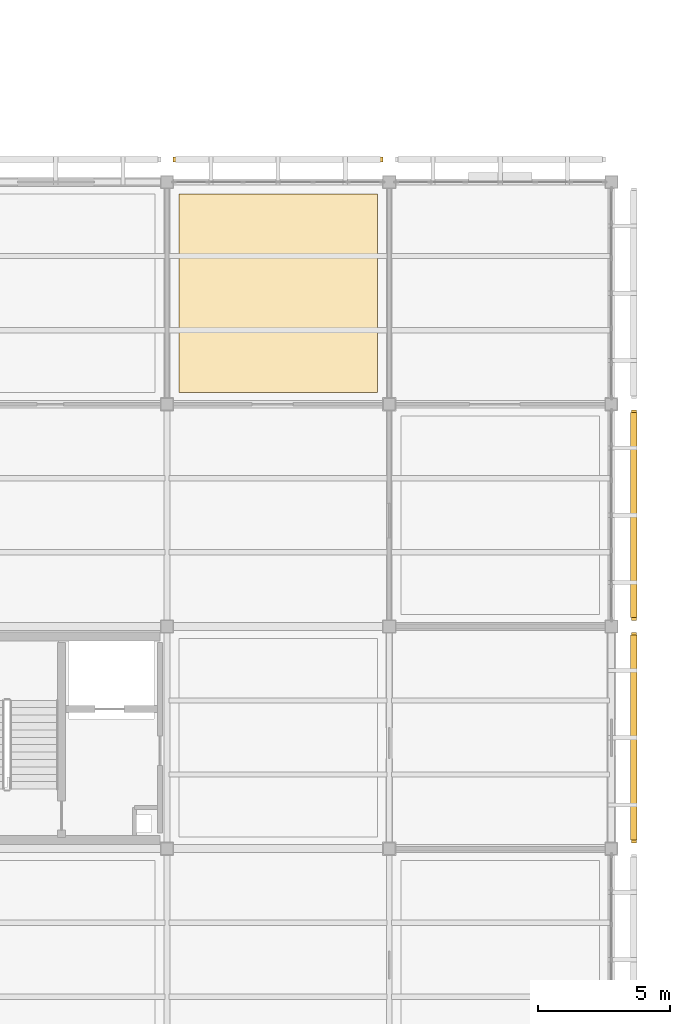
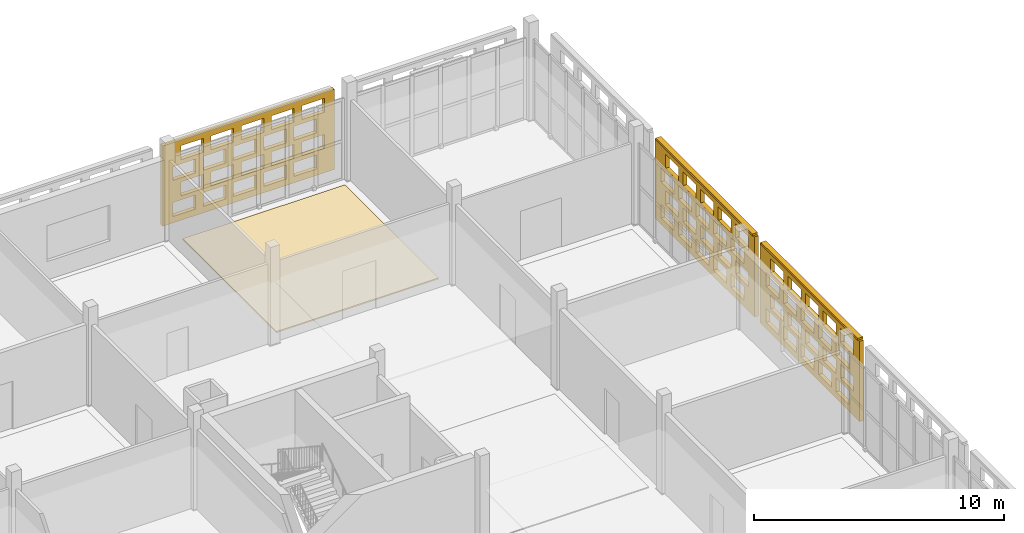
# One storey, part 202 of 203: 4 coverings, 2 shading devices, 60 openings.
"""IFC4 building model written with IfcOpenShell, lengths in metres."""

from ifc_helpers import new_model, si_unit, direction, frame, frame_2d, origin, origin_2d, place, context, subcontext, project, spatial, rectangle, extrude, material, layer, layer_set, type_object, element, save


model = new_model("IFC4")

# Units and contexts
model_context = context("Model", 3, precision=1e-05, world=origin(), true_north=direction((0.0, 1.0)))
body_context = subcontext(model_context, "Body", "Model", "MODEL_VIEW")
ifc_project = project(units=[si_unit("LENGTHUNIT", "METRE"), si_unit("AREAUNIT", "SQUARE_METRE"), si_unit("VOLUMEUNIT", "CUBIC_METRE"), si_unit("PLANEANGLEUNIT", "RADIAN"), si_unit("MASSUNIT", "GRAM", prefix="KILO")], contexts=[model_context])

# Site, building, storey
site_placement = place(None, origin())
site = spatial("IfcSite", under=ifc_project, at=site_placement, CompositionType="ELEMENT")
building_placement = place(site_placement, origin())
building = spatial("IfcBuilding", under=site, at=building_placement, Name="Varnapada Polytechnic", CompositionType="ELEMENT")
storey_placement = place(building_placement, frame((0.0, 0.0, 4.800048828125)))
storey = spatial("IfcBuildingStorey", under=building, at=storey_placement, Name="L01", CompositionType="ELEMENT", Elevation=4.800048828125)

# Covering
ifc_material_1 = material(Name="Anti-Static Raised Laboratory Flooring")
ifc_layer_1 = layer(ifc_material_1, 0.06005859375)
ifc_layer_set_1 = layer_set([ifc_layer_1], Name="Anti-Static Raised Laboratory Flooring")
covering_type_1 = type_object("IfcCoveringType", Name="Floor Finish FLR-02", PredefinedType="FLOORING", material=ifc_layer_set_1)
covering_1_placement = place(storey_placement, frame((163.800048828125, 113.39990234375, 0.0), z_axis=(0.0, 0.0, 1.0), x_axis=(1.0, 0.0, 0.0)))
element("IfcCovering", 1, at=covering_1_placement, inside=storey, type_object=covering_type_1, Name="L01 floor finish panel (20,14)", PredefinedType="FLOORING", context=body_context, shape_type="SweptSolid", body=[
    extrude(rectangle(XDim=7.5, YDim=7.5, at=origin_2d()), origin(), (0.0, 0.0, 1.0), 0.06005859375),
])

# Covering, openings
ifc_material_2 = material(Name="Earth-toned architectural terracotta screen block", Category="masonry")
ifc_layer_2 = layer(ifc_material_2, 0.1201171875)
ifc_layer_set_2 = layer_set([ifc_layer_2], Name="Earth-toned architectural terracotta screen block")
covering_type_2 = type_object("IfcCoveringType", Name="Terracotta Screen Cladding CLD-01", PredefinedType="CLADDING", material=ifc_layer_set_2)
covering_2_placement = place(storey_placement, frame((159.830078125, 118.449951171875, 0.0), z_axis=(0.0, 0.0, 1.0), x_axis=(1.0, 0.0, 0.0)))
covering_2 = element("IfcCovering", 2, at=covering_2_placement, inside=storey, type_object=covering_type_2, Name="L01 perforated terracotta block screen (135)", PredefinedType="CLADDING", context=body_context, shape_type="SweptSolid", body=[
    extrude(rectangle(XDim=7.93994140625, YDim=0.179931640625, at=frame_2d((3.969970703125, 0.0))), origin(), (0.0, 0.0, 1.0), 3.919921875),
])
opening_1_placement = place(covering_2_placement, frame((0.469970703125, 0.0, 0.313720703125)))
element("IfcOpeningElement", 3, at=opening_1_placement, cuts=covering_2, Name="Screen perforation TBS-L01-134.1", PredefinedType="OPENING", context=body_context, shape_type="SweptSolid", body=[
    extrude(rectangle(XDim=1.0400390625, YDim=0.679931640625, at=frame_2d((0.52001953125, 0.33984375))), frame((0.0, 0.099853515625, 0.0), z_axis=(0.0, -1.0, 0.0), x_axis=(1.0, 0.0, 0.0)), (0.0, 0.0, 1.0), 0.199951171875),
])
opening_2_placement = place(covering_2_placement, frame((1.8701171875, 0.0, 0.313720703125)))
element("IfcOpeningElement", 4, at=opening_2_placement, cuts=covering_2, Name="Screen perforation TBS-L01-134.2", PredefinedType="OPENING", context=body_context, shape_type="SweptSolid", body=[
    extrude(rectangle(XDim=1.0400390625, YDim=0.679931640625, at=frame_2d((0.52001953125, 0.33984375))), frame((0.0, 0.099853515625, 0.0), z_axis=(0.0, -1.0, 0.0), x_axis=(1.0, 0.0, 0.0)), (0.0, 0.0, 1.0), 0.199951171875),
])
opening_3_placement = place(covering_2_placement, frame((3.27001953125, 0.0, 0.313720703125)))
element("IfcOpeningElement", 5, at=opening_3_placement, cuts=covering_2, Name="Screen perforation TBS-L01-134.3", PredefinedType="OPENING", context=body_context, shape_type="SweptSolid", body=[
    extrude(rectangle(XDim=1.0400390625, YDim=0.679931640625, at=frame_2d((0.52001953125, 0.33984375))), frame((0.0, 0.099853515625, 0.0), z_axis=(0.0, -1.0, 0.0), x_axis=(1.0, 0.0, 0.0)), (0.0, 0.0, 1.0), 0.199951171875),
])
opening_4_placement = place(covering_2_placement, frame((4.669921875, 0.0, 0.313720703125)))
element("IfcOpeningElement", 6, at=opening_4_placement, cuts=covering_2, Name="Screen perforation TBS-L01-134.4", PredefinedType="OPENING", context=body_context, shape_type="SweptSolid", body=[
    extrude(rectangle(XDim=1.0400390625, YDim=0.679931640625, at=frame_2d((0.52001953125, 0.33984375))), frame((0.0, 0.099853515625, 0.0), z_axis=(0.0, -1.0, 0.0), x_axis=(1.0, 0.0, 0.0)), (0.0, 0.0, 1.0), 0.199951171875),
])
opening_5_placement = place(covering_2_placement, frame((6.070068359375, 0.0, 0.313720703125)))
element("IfcOpeningElement", 7, at=opening_5_placement, cuts=covering_2, Name="Screen perforation TBS-L01-134.5", PredefinedType="OPENING", context=body_context, shape_type="SweptSolid", body=[
    extrude(rectangle(XDim=1.0400390625, YDim=0.679931640625, at=frame_2d((0.52001953125, 0.33984375))), frame((0.0, 0.099853515625, 0.0), z_axis=(0.0, -1.0, 0.0), x_axis=(1.0, 0.0, 0.0)), (0.0, 0.0, 1.0), 0.199951171875),
])
opening_6_placement = place(covering_2_placement, frame((0.830078125, 0.0, 1.195556640625)))
element("IfcOpeningElement", 8, at=opening_6_placement, cuts=covering_2, Name="Screen perforation TBS-L01-134.6", PredefinedType="OPENING", context=body_context, shape_type="SweptSolid", body=[
    extrude(rectangle(XDim=1.0400390625, YDim=0.679931640625, at=frame_2d((0.52001953125, 0.33984375))), frame((0.0, 0.099853515625, 0.0), z_axis=(0.0, -1.0, 0.0), x_axis=(1.0, 0.0, 0.0)), (0.0, 0.0, 1.0), 0.199951171875),
])
opening_7_placement = place(covering_2_placement, frame((2.22998046875, 0.0, 1.195556640625)))
element("IfcOpeningElement", 9, at=opening_7_placement, cuts=covering_2, Name="Screen perforation TBS-L01-134.7", PredefinedType="OPENING", context=body_context, shape_type="SweptSolid", body=[
    extrude(rectangle(XDim=1.0400390625, YDim=0.679931640625, at=frame_2d((0.52001953125, 0.33984375))), frame((0.0, 0.099853515625, 0.0), z_axis=(0.0, -1.0, 0.0), x_axis=(1.0, 0.0, 0.0)), (0.0, 0.0, 1.0), 0.199951171875),
])
opening_8_placement = place(covering_2_placement, frame((3.6298828125, 0.0, 1.195556640625)))
element("IfcOpeningElement", 10, at=opening_8_placement, cuts=covering_2, Name="Screen perforation TBS-L01-134.8", PredefinedType="OPENING", context=body_context, shape_type="SweptSolid", body=[
    extrude(rectangle(XDim=1.0400390625, YDim=0.679931640625, at=frame_2d((0.52001953125, 0.33984375))), frame((0.0, 0.099853515625, 0.0), z_axis=(0.0, -1.0, 0.0), x_axis=(1.0, 0.0, 0.0)), (0.0, 0.0, 1.0), 0.199951171875),
])
opening_9_placement = place(covering_2_placement, frame((5.030029296875, 0.0, 1.195556640625)))
element("IfcOpeningElement", 11, at=opening_9_placement, cuts=covering_2, Name="Screen perforation TBS-L01-134.9", PredefinedType="OPENING", context=body_context, shape_type="SweptSolid", body=[
    extrude(rectangle(XDim=1.0400390625, YDim=0.679931640625, at=frame_2d((0.52001953125, 0.33984375))), frame((0.0, 0.099853515625, 0.0), z_axis=(0.0, -1.0, 0.0), x_axis=(1.0, 0.0, 0.0)), (0.0, 0.0, 1.0), 0.199951171875),
])
opening_10_placement = place(covering_2_placement, frame((6.429931640625, 0.0, 1.195556640625)))
element("IfcOpeningElement", 12, at=opening_10_placement, cuts=covering_2, Name="Screen perforation TBS-L01-134.10", PredefinedType="OPENING", context=body_context, shape_type="SweptSolid", body=[
    extrude(rectangle(XDim=1.0400390625, YDim=0.679931640625, at=frame_2d((0.52001953125, 0.33984375))), frame((0.0, 0.099853515625, 0.0), z_axis=(0.0, -1.0, 0.0), x_axis=(1.0, 0.0, 0.0)), (0.0, 0.0, 1.0), 0.199951171875),
])
opening_11_placement = place(covering_2_placement, frame((0.469970703125, 0.0, 2.07763671875)))
element("IfcOpeningElement", 13, at=opening_11_placement, cuts=covering_2, Name="Screen perforation TBS-L01-134.11", PredefinedType="OPENING", context=body_context, shape_type="SweptSolid", body=[
    extrude(rectangle(XDim=1.0400390625, YDim=0.679931640625, at=frame_2d((0.52001953125, 0.33984375))), frame((0.0, 0.099853515625, 0.0), z_axis=(0.0, -1.0, 0.0), x_axis=(1.0, 0.0, 0.0)), (0.0, 0.0, 1.0), 0.199951171875),
])
opening_12_placement = place(covering_2_placement, frame((1.8701171875, 0.0, 2.07763671875)))
element("IfcOpeningElement", 14, at=opening_12_placement, cuts=covering_2, Name="Screen perforation TBS-L01-134.12", PredefinedType="OPENING", context=body_context, shape_type="SweptSolid", body=[
    extrude(rectangle(XDim=1.0400390625, YDim=0.679931640625, at=frame_2d((0.52001953125, 0.33984375))), frame((0.0, 0.099853515625, 0.0), z_axis=(0.0, -1.0, 0.0), x_axis=(1.0, 0.0, 0.0)), (0.0, 0.0, 1.0), 0.199951171875),
])
opening_13_placement = place(covering_2_placement, frame((3.27001953125, 0.0, 2.07763671875)))
element("IfcOpeningElement", 15, at=opening_13_placement, cuts=covering_2, Name="Screen perforation TBS-L01-134.13", PredefinedType="OPENING", context=body_context, shape_type="SweptSolid", body=[
    extrude(rectangle(XDim=1.0400390625, YDim=0.679931640625, at=frame_2d((0.52001953125, 0.33984375))), frame((0.0, 0.099853515625, 0.0), z_axis=(0.0, -1.0, 0.0), x_axis=(1.0, 0.0, 0.0)), (0.0, 0.0, 1.0), 0.199951171875),
])
opening_14_placement = place(covering_2_placement, frame((4.669921875, 0.0, 2.07763671875)))
element("IfcOpeningElement", 16, at=opening_14_placement, cuts=covering_2, Name="Screen perforation TBS-L01-134.14", PredefinedType="OPENING", context=body_context, shape_type="SweptSolid", body=[
    extrude(rectangle(XDim=1.0400390625, YDim=0.679931640625, at=frame_2d((0.52001953125, 0.33984375))), frame((0.0, 0.099853515625, 0.0), z_axis=(0.0, -1.0, 0.0), x_axis=(1.0, 0.0, 0.0)), (0.0, 0.0, 1.0), 0.199951171875),
])
opening_15_placement = place(covering_2_placement, frame((6.070068359375, 0.0, 2.07763671875)))
element("IfcOpeningElement", 17, at=opening_15_placement, cuts=covering_2, Name="Screen perforation TBS-L01-134.15", PredefinedType="OPENING", context=body_context, shape_type="SweptSolid", body=[
    extrude(rectangle(XDim=1.0400390625, YDim=0.679931640625, at=frame_2d((0.52001953125, 0.33984375))), frame((0.0, 0.099853515625, 0.0), z_axis=(0.0, -1.0, 0.0), x_axis=(1.0, 0.0, 0.0)), (0.0, 0.0, 1.0), 0.199951171875),
])
opening_16_placement = place(covering_2_placement, frame((0.830078125, 0.0, 2.959716796875)))
element("IfcOpeningElement", 18, at=opening_16_placement, cuts=covering_2, Name="Screen perforation TBS-L01-134.16", PredefinedType="OPENING", context=body_context, shape_type="SweptSolid", body=[
    extrude(rectangle(XDim=1.0400390625, YDim=0.679931640625, at=frame_2d((0.52001953125, 0.33984375))), frame((0.0, 0.099853515625, 0.0), z_axis=(0.0, -1.0, 0.0), x_axis=(1.0, 0.0, 0.0)), (0.0, 0.0, 1.0), 0.199951171875),
])
opening_17_placement = place(covering_2_placement, frame((2.22998046875, 0.0, 2.959716796875)))
element("IfcOpeningElement", 19, at=opening_17_placement, cuts=covering_2, Name="Screen perforation TBS-L01-134.17", PredefinedType="OPENING", context=body_context, shape_type="SweptSolid", body=[
    extrude(rectangle(XDim=1.0400390625, YDim=0.679931640625, at=frame_2d((0.52001953125, 0.33984375))), frame((0.0, 0.099853515625, 0.0), z_axis=(0.0, -1.0, 0.0), x_axis=(1.0, 0.0, 0.0)), (0.0, 0.0, 1.0), 0.199951171875),
])
opening_18_placement = place(covering_2_placement, frame((3.6298828125, 0.0, 2.959716796875)))
element("IfcOpeningElement", 20, at=opening_18_placement, cuts=covering_2, Name="Screen perforation TBS-L01-134.18", PredefinedType="OPENING", context=body_context, shape_type="SweptSolid", body=[
    extrude(rectangle(XDim=1.0400390625, YDim=0.679931640625, at=frame_2d((0.52001953125, 0.33984375))), frame((0.0, 0.099853515625, 0.0), z_axis=(0.0, -1.0, 0.0), x_axis=(1.0, 0.0, 0.0)), (0.0, 0.0, 1.0), 0.199951171875),
])
opening_19_placement = place(covering_2_placement, frame((5.030029296875, 0.0, 2.959716796875)))
element("IfcOpeningElement", 21, at=opening_19_placement, cuts=covering_2, Name="Screen perforation TBS-L01-134.19", PredefinedType="OPENING", context=body_context, shape_type="SweptSolid", body=[
    extrude(rectangle(XDim=1.0400390625, YDim=0.679931640625, at=frame_2d((0.52001953125, 0.33984375))), frame((0.0, 0.099853515625, 0.0), z_axis=(0.0, -1.0, 0.0), x_axis=(1.0, 0.0, 0.0)), (0.0, 0.0, 1.0), 0.199951171875),
])
opening_20_placement = place(covering_2_placement, frame((6.429931640625, 0.0, 2.959716796875)))
element("IfcOpeningElement", 22, at=opening_20_placement, cuts=covering_2, Name="Screen perforation TBS-L01-134.20", PredefinedType="OPENING", context=body_context, shape_type="SweptSolid", body=[
    extrude(rectangle(XDim=1.0400390625, YDim=0.679931640625, at=frame_2d((0.52001953125, 0.33984375))), frame((0.0, 0.099853515625, 0.0), z_axis=(0.0, -1.0, 0.0), x_axis=(1.0, 0.0, 0.0)), (0.0, 0.0, 1.0), 0.199951171875),
])

covering_3_placement = place(storey_placement, frame((177.25, 100.570068359375, 0.0), z_axis=(0.0, 0.0, 1.0), x_axis=(0.0, -1.0, 0.0)))
covering_3 = element("IfcCovering", 23, at=covering_3_placement, inside=storey, type_object=covering_type_2, Name="L01 perforated terracotta block screen (149)", PredefinedType="CLADDING", context=body_context, shape_type="SweptSolid", body=[
    extrude(rectangle(XDim=7.949951171875, YDim=0.179931640625, at=frame_2d((3.97509765625, 0.0))), origin(), (0.0, 0.0, 1.0), 3.919921875),
])
opening_21_placement = place(covering_3_placement, frame((0.47509765625, 0.0, 0.313720703125)))
element("IfcOpeningElement", 24, at=opening_21_placement, cuts=covering_3, Name="Screen perforation TBS-L01-148.1", PredefinedType="OPENING", context=body_context, shape_type="SweptSolid", body=[
    extrude(rectangle(XDim=1.0400390625, YDim=0.679931640625, at=frame_2d((0.52001953125, 0.33984375))), frame((0.0, 0.099853515625, 0.0), z_axis=(0.0, -1.0, 0.0), x_axis=(1.0, 0.0, 0.0)), (0.0, 0.0, 1.0), 0.199951171875),
])
opening_22_placement = place(covering_3_placement, frame((1.875, 0.0, 0.313720703125)))
element("IfcOpeningElement", 25, at=opening_22_placement, cuts=covering_3, Name="Screen perforation TBS-L01-148.2", PredefinedType="OPENING", context=body_context, shape_type="SweptSolid", body=[
    extrude(rectangle(XDim=1.0400390625, YDim=0.679931640625, at=frame_2d((0.52001953125, 0.33984375))), frame((0.0, 0.099853515625, 0.0), z_axis=(0.0, -1.0, 0.0), x_axis=(1.0, 0.0, 0.0)), (0.0, 0.0, 1.0), 0.199951171875),
])
opening_23_placement = place(covering_3_placement, frame((3.27490234375, 0.0, 0.313720703125)))
element("IfcOpeningElement", 26, at=opening_23_placement, cuts=covering_3, Name="Screen perforation TBS-L01-148.3", PredefinedType="OPENING", context=body_context, shape_type="SweptSolid", body=[
    extrude(rectangle(XDim=1.0400390625, YDim=0.679931640625, at=frame_2d((0.52001953125, 0.33984375))), frame((0.0, 0.099853515625, 0.0), z_axis=(0.0, -1.0, 0.0), x_axis=(1.0, 0.0, 0.0)), (0.0, 0.0, 1.0), 0.199951171875),
])
opening_24_placement = place(covering_3_placement, frame((4.675048828125, 0.0, 0.313720703125)))
element("IfcOpeningElement", 27, at=opening_24_placement, cuts=covering_3, Name="Screen perforation TBS-L01-148.4", PredefinedType="OPENING", context=body_context, shape_type="SweptSolid", body=[
    extrude(rectangle(XDim=1.0400390625, YDim=0.679931640625, at=frame_2d((0.52001953125, 0.33984375))), frame((0.0, 0.099853515625, 0.0), z_axis=(0.0, -1.0, 0.0), x_axis=(1.0, 0.0, 0.0)), (0.0, 0.0, 1.0), 0.199951171875),
])
opening_25_placement = place(covering_3_placement, frame((6.074951171875, 0.0, 0.313720703125)))
element("IfcOpeningElement", 28, at=opening_25_placement, cuts=covering_3, Name="Screen perforation TBS-L01-148.5", PredefinedType="OPENING", context=body_context, shape_type="SweptSolid", body=[
    extrude(rectangle(XDim=1.0400390625, YDim=0.679931640625, at=frame_2d((0.52001953125, 0.33984375))), frame((0.0, 0.099853515625, 0.0), z_axis=(0.0, -1.0, 0.0), x_axis=(1.0, 0.0, 0.0)), (0.0, 0.0, 1.0), 0.199951171875),
])
opening_26_placement = place(covering_3_placement, frame((0.8349609375, 0.0, 1.195556640625)))
element("IfcOpeningElement", 29, at=opening_26_placement, cuts=covering_3, Name="Screen perforation TBS-L01-148.6", PredefinedType="OPENING", context=body_context, shape_type="SweptSolid", body=[
    extrude(rectangle(XDim=1.0400390625, YDim=0.679931640625, at=frame_2d((0.52001953125, 0.33984375))), frame((0.0, 0.099853515625, 0.0), z_axis=(0.0, -1.0, 0.0), x_axis=(1.0, 0.0, 0.0)), (0.0, 0.0, 1.0), 0.199951171875),
])
opening_27_placement = place(covering_3_placement, frame((2.235107421875, 0.0, 1.195556640625)))
element("IfcOpeningElement", 30, at=opening_27_placement, cuts=covering_3, Name="Screen perforation TBS-L01-148.7", PredefinedType="OPENING", context=body_context, shape_type="SweptSolid", body=[
    extrude(rectangle(XDim=1.0400390625, YDim=0.679931640625, at=frame_2d((0.52001953125, 0.33984375))), frame((0.0, 0.099853515625, 0.0), z_axis=(0.0, -1.0, 0.0), x_axis=(1.0, 0.0, 0.0)), (0.0, 0.0, 1.0), 0.199951171875),
])
opening_28_placement = place(covering_3_placement, frame((3.635009765625, 0.0, 1.195556640625)))
element("IfcOpeningElement", 31, at=opening_28_placement, cuts=covering_3, Name="Screen perforation TBS-L01-148.8", PredefinedType="OPENING", context=body_context, shape_type="SweptSolid", body=[
    extrude(rectangle(XDim=1.0400390625, YDim=0.679931640625, at=frame_2d((0.52001953125, 0.33984375))), frame((0.0, 0.099853515625, 0.0), z_axis=(0.0, -1.0, 0.0), x_axis=(1.0, 0.0, 0.0)), (0.0, 0.0, 1.0), 0.199951171875),
])
opening_29_placement = place(covering_3_placement, frame((5.034912109375, 0.0, 1.195556640625)))
element("IfcOpeningElement", 32, at=opening_29_placement, cuts=covering_3, Name="Screen perforation TBS-L01-148.9", PredefinedType="OPENING", context=body_context, shape_type="SweptSolid", body=[
    extrude(rectangle(XDim=1.0400390625, YDim=0.679931640625, at=frame_2d((0.52001953125, 0.33984375))), frame((0.0, 0.099853515625, 0.0), z_axis=(0.0, -1.0, 0.0), x_axis=(1.0, 0.0, 0.0)), (0.0, 0.0, 1.0), 0.199951171875),
])
opening_30_placement = place(covering_3_placement, frame((6.43505859375, 0.0, 1.195556640625)))
element("IfcOpeningElement", 33, at=opening_30_placement, cuts=covering_3, Name="Screen perforation TBS-L01-148.10", PredefinedType="OPENING", context=body_context, shape_type="SweptSolid", body=[
    extrude(rectangle(XDim=1.0400390625, YDim=0.679931640625, at=frame_2d((0.52001953125, 0.33984375))), frame((0.0, 0.099853515625, 0.0), z_axis=(0.0, -1.0, 0.0), x_axis=(1.0, 0.0, 0.0)), (0.0, 0.0, 1.0), 0.199951171875),
])
opening_31_placement = place(covering_3_placement, frame((0.47509765625, 0.0, 2.07763671875)))
element("IfcOpeningElement", 34, at=opening_31_placement, cuts=covering_3, Name="Screen perforation TBS-L01-148.11", PredefinedType="OPENING", context=body_context, shape_type="SweptSolid", body=[
    extrude(rectangle(XDim=1.0400390625, YDim=0.679931640625, at=frame_2d((0.52001953125, 0.33984375))), frame((0.0, 0.099853515625, 0.0), z_axis=(0.0, -1.0, 0.0), x_axis=(1.0, 0.0, 0.0)), (0.0, 0.0, 1.0), 0.199951171875),
])
opening_32_placement = place(covering_3_placement, frame((1.875, 0.0, 2.07763671875)))
element("IfcOpeningElement", 35, at=opening_32_placement, cuts=covering_3, Name="Screen perforation TBS-L01-148.12", PredefinedType="OPENING", context=body_context, shape_type="SweptSolid", body=[
    extrude(rectangle(XDim=1.0400390625, YDim=0.679931640625, at=frame_2d((0.52001953125, 0.33984375))), frame((0.0, 0.099853515625, 0.0), z_axis=(0.0, -1.0, 0.0), x_axis=(1.0, 0.0, 0.0)), (0.0, 0.0, 1.0), 0.199951171875),
])
opening_33_placement = place(covering_3_placement, frame((3.27490234375, 0.0, 2.07763671875)))
element("IfcOpeningElement", 36, at=opening_33_placement, cuts=covering_3, Name="Screen perforation TBS-L01-148.13", PredefinedType="OPENING", context=body_context, shape_type="SweptSolid", body=[
    extrude(rectangle(XDim=1.0400390625, YDim=0.679931640625, at=frame_2d((0.52001953125, 0.33984375))), frame((0.0, 0.099853515625, 0.0), z_axis=(0.0, -1.0, 0.0), x_axis=(1.0, 0.0, 0.0)), (0.0, 0.0, 1.0), 0.199951171875),
])
opening_34_placement = place(covering_3_placement, frame((4.675048828125, 0.0, 2.07763671875)))
element("IfcOpeningElement", 37, at=opening_34_placement, cuts=covering_3, Name="Screen perforation TBS-L01-148.14", PredefinedType="OPENING", context=body_context, shape_type="SweptSolid", body=[
    extrude(rectangle(XDim=1.0400390625, YDim=0.679931640625, at=frame_2d((0.52001953125, 0.33984375))), frame((0.0, 0.099853515625, 0.0), z_axis=(0.0, -1.0, 0.0), x_axis=(1.0, 0.0, 0.0)), (0.0, 0.0, 1.0), 0.199951171875),
])
opening_35_placement = place(covering_3_placement, frame((6.074951171875, 0.0, 2.07763671875)))
element("IfcOpeningElement", 38, at=opening_35_placement, cuts=covering_3, Name="Screen perforation TBS-L01-148.15", PredefinedType="OPENING", context=body_context, shape_type="SweptSolid", body=[
    extrude(rectangle(XDim=1.0400390625, YDim=0.679931640625, at=frame_2d((0.52001953125, 0.33984375))), frame((0.0, 0.099853515625, 0.0), z_axis=(0.0, -1.0, 0.0), x_axis=(1.0, 0.0, 0.0)), (0.0, 0.0, 1.0), 0.199951171875),
])
opening_36_placement = place(covering_3_placement, frame((0.8349609375, 0.0, 2.959716796875)))
element("IfcOpeningElement", 39, at=opening_36_placement, cuts=covering_3, Name="Screen perforation TBS-L01-148.16", PredefinedType="OPENING", context=body_context, shape_type="SweptSolid", body=[
    extrude(rectangle(XDim=1.0400390625, YDim=0.679931640625, at=frame_2d((0.52001953125, 0.33984375))), frame((0.0, 0.099853515625, 0.0), z_axis=(0.0, -1.0, 0.0), x_axis=(1.0, 0.0, 0.0)), (0.0, 0.0, 1.0), 0.199951171875),
])
opening_37_placement = place(covering_3_placement, frame((2.235107421875, 0.0, 2.959716796875)))
element("IfcOpeningElement", 40, at=opening_37_placement, cuts=covering_3, Name="Screen perforation TBS-L01-148.17", PredefinedType="OPENING", context=body_context, shape_type="SweptSolid", body=[
    extrude(rectangle(XDim=1.0400390625, YDim=0.679931640625, at=frame_2d((0.52001953125, 0.33984375))), frame((0.0, 0.099853515625, 0.0), z_axis=(0.0, -1.0, 0.0), x_axis=(1.0, 0.0, 0.0)), (0.0, 0.0, 1.0), 0.199951171875),
])
opening_38_placement = place(covering_3_placement, frame((3.635009765625, 0.0, 2.959716796875)))
element("IfcOpeningElement", 41, at=opening_38_placement, cuts=covering_3, Name="Screen perforation TBS-L01-148.18", PredefinedType="OPENING", context=body_context, shape_type="SweptSolid", body=[
    extrude(rectangle(XDim=1.0400390625, YDim=0.679931640625, at=frame_2d((0.52001953125, 0.33984375))), frame((0.0, 0.099853515625, 0.0), z_axis=(0.0, -1.0, 0.0), x_axis=(1.0, 0.0, 0.0)), (0.0, 0.0, 1.0), 0.199951171875),
])
opening_39_placement = place(covering_3_placement, frame((5.034912109375, 0.0, 2.959716796875)))
element("IfcOpeningElement", 42, at=opening_39_placement, cuts=covering_3, Name="Screen perforation TBS-L01-148.19", PredefinedType="OPENING", context=body_context, shape_type="SweptSolid", body=[
    extrude(rectangle(XDim=1.0400390625, YDim=0.679931640625, at=frame_2d((0.52001953125, 0.33984375))), frame((0.0, 0.099853515625, 0.0), z_axis=(0.0, -1.0, 0.0), x_axis=(1.0, 0.0, 0.0)), (0.0, 0.0, 1.0), 0.199951171875),
])
opening_40_placement = place(covering_3_placement, frame((6.43505859375, 0.0, 2.959716796875)))
element("IfcOpeningElement", 43, at=opening_40_placement, cuts=covering_3, Name="Screen perforation TBS-L01-148.20", PredefinedType="OPENING", context=body_context, shape_type="SweptSolid", body=[
    extrude(rectangle(XDim=1.0400390625, YDim=0.679931640625, at=frame_2d((0.52001953125, 0.33984375))), frame((0.0, 0.099853515625, 0.0), z_axis=(0.0, -1.0, 0.0), x_axis=(1.0, 0.0, 0.0)), (0.0, 0.0, 1.0), 0.199951171875),
])

covering_4_placement = place(storey_placement, frame((177.25, 108.97998046875, 0.0), z_axis=(0.0, 0.0, 1.0), x_axis=(0.0, -1.0, 0.0)))
covering_4 = element("IfcCovering", 44, at=covering_4_placement, inside=storey, type_object=covering_type_2, Name="L01 perforated terracotta block screen (150)", PredefinedType="CLADDING", context=body_context, shape_type="SweptSolid", body=[
    extrude(rectangle(XDim=7.949951171875, YDim=0.179931640625, at=frame_2d((3.97509765625, 0.0))), origin(), (0.0, 0.0, 1.0), 3.919921875),
])
opening_41_placement = place(covering_4_placement, frame((0.47509765625, 0.0, 0.313720703125)))
element("IfcOpeningElement", 45, at=opening_41_placement, cuts=covering_4, Name="Screen perforation TBS-L01-149.1", PredefinedType="OPENING", context=body_context, shape_type="SweptSolid", body=[
    extrude(rectangle(XDim=1.0400390625, YDim=0.679931640625, at=frame_2d((0.52001953125, 0.33984375))), frame((0.0, 0.099853515625, 0.0), z_axis=(0.0, -1.0, 0.0), x_axis=(1.0, 0.0, 0.0)), (0.0, 0.0, 1.0), 0.199951171875),
])
opening_42_placement = place(covering_4_placement, frame((1.875, 0.0, 0.313720703125)))
element("IfcOpeningElement", 46, at=opening_42_placement, cuts=covering_4, Name="Screen perforation TBS-L01-149.2", PredefinedType="OPENING", context=body_context, shape_type="SweptSolid", body=[
    extrude(rectangle(XDim=1.0400390625, YDim=0.679931640625, at=frame_2d((0.52001953125, 0.33984375))), frame((0.0, 0.099853515625, 0.0), z_axis=(0.0, -1.0, 0.0), x_axis=(1.0, 0.0, 0.0)), (0.0, 0.0, 1.0), 0.199951171875),
])
opening_43_placement = place(covering_4_placement, frame((3.27490234375, 0.0, 0.313720703125)))
element("IfcOpeningElement", 47, at=opening_43_placement, cuts=covering_4, Name="Screen perforation TBS-L01-149.3", PredefinedType="OPENING", context=body_context, shape_type="SweptSolid", body=[
    extrude(rectangle(XDim=1.0400390625, YDim=0.679931640625, at=frame_2d((0.52001953125, 0.33984375))), frame((0.0, 0.099853515625, 0.0), z_axis=(0.0, -1.0, 0.0), x_axis=(1.0, 0.0, 0.0)), (0.0, 0.0, 1.0), 0.199951171875),
])
opening_44_placement = place(covering_4_placement, frame((4.675048828125, 0.0, 0.313720703125)))
element("IfcOpeningElement", 48, at=opening_44_placement, cuts=covering_4, Name="Screen perforation TBS-L01-149.4", PredefinedType="OPENING", context=body_context, shape_type="SweptSolid", body=[
    extrude(rectangle(XDim=1.0400390625, YDim=0.679931640625, at=frame_2d((0.52001953125, 0.33984375))), frame((0.0, 0.099853515625, 0.0), z_axis=(0.0, -1.0, 0.0), x_axis=(1.0, 0.0, 0.0)), (0.0, 0.0, 1.0), 0.199951171875),
])
opening_45_placement = place(covering_4_placement, frame((6.074951171875, 0.0, 0.313720703125)))
element("IfcOpeningElement", 49, at=opening_45_placement, cuts=covering_4, Name="Screen perforation TBS-L01-149.5", PredefinedType="OPENING", context=body_context, shape_type="SweptSolid", body=[
    extrude(rectangle(XDim=1.0400390625, YDim=0.679931640625, at=frame_2d((0.52001953125, 0.33984375))), frame((0.0, 0.099853515625, 0.0), z_axis=(0.0, -1.0, 0.0), x_axis=(1.0, 0.0, 0.0)), (0.0, 0.0, 1.0), 0.199951171875),
])
opening_46_placement = place(covering_4_placement, frame((0.8349609375, 0.0, 1.195556640625)))
element("IfcOpeningElement", 50, at=opening_46_placement, cuts=covering_4, Name="Screen perforation TBS-L01-149.6", PredefinedType="OPENING", context=body_context, shape_type="SweptSolid", body=[
    extrude(rectangle(XDim=1.0400390625, YDim=0.679931640625, at=frame_2d((0.52001953125, 0.33984375))), frame((0.0, 0.099853515625, 0.0), z_axis=(0.0, -1.0, 0.0), x_axis=(1.0, 0.0, 0.0)), (0.0, 0.0, 1.0), 0.199951171875),
])
opening_47_placement = place(covering_4_placement, frame((2.235107421875, 0.0, 1.195556640625)))
element("IfcOpeningElement", 51, at=opening_47_placement, cuts=covering_4, Name="Screen perforation TBS-L01-149.7", PredefinedType="OPENING", context=body_context, shape_type="SweptSolid", body=[
    extrude(rectangle(XDim=1.0400390625, YDim=0.679931640625, at=frame_2d((0.52001953125, 0.33984375))), frame((0.0, 0.099853515625, 0.0), z_axis=(0.0, -1.0, 0.0), x_axis=(1.0, 0.0, 0.0)), (0.0, 0.0, 1.0), 0.199951171875),
])
opening_48_placement = place(covering_4_placement, frame((3.635009765625, 0.0, 1.195556640625)))
element("IfcOpeningElement", 52, at=opening_48_placement, cuts=covering_4, Name="Screen perforation TBS-L01-149.8", PredefinedType="OPENING", context=body_context, shape_type="SweptSolid", body=[
    extrude(rectangle(XDim=1.0400390625, YDim=0.679931640625, at=frame_2d((0.52001953125, 0.33984375))), frame((0.0, 0.099853515625, 0.0), z_axis=(0.0, -1.0, 0.0), x_axis=(1.0, 0.0, 0.0)), (0.0, 0.0, 1.0), 0.199951171875),
])
opening_49_placement = place(covering_4_placement, frame((5.034912109375, 0.0, 1.195556640625)))
element("IfcOpeningElement", 53, at=opening_49_placement, cuts=covering_4, Name="Screen perforation TBS-L01-149.9", PredefinedType="OPENING", context=body_context, shape_type="SweptSolid", body=[
    extrude(rectangle(XDim=1.0400390625, YDim=0.679931640625, at=frame_2d((0.52001953125, 0.33984375))), frame((0.0, 0.099853515625, 0.0), z_axis=(0.0, -1.0, 0.0), x_axis=(1.0, 0.0, 0.0)), (0.0, 0.0, 1.0), 0.199951171875),
])
opening_50_placement = place(covering_4_placement, frame((6.43505859375, 0.0, 1.195556640625)))
element("IfcOpeningElement", 54, at=opening_50_placement, cuts=covering_4, Name="Screen perforation TBS-L01-149.10", PredefinedType="OPENING", context=body_context, shape_type="SweptSolid", body=[
    extrude(rectangle(XDim=1.0400390625, YDim=0.679931640625, at=frame_2d((0.52001953125, 0.33984375))), frame((0.0, 0.099853515625, 0.0), z_axis=(0.0, -1.0, 0.0), x_axis=(1.0, 0.0, 0.0)), (0.0, 0.0, 1.0), 0.199951171875),
])
opening_51_placement = place(covering_4_placement, frame((0.47509765625, 0.0, 2.07763671875)))
element("IfcOpeningElement", 55, at=opening_51_placement, cuts=covering_4, Name="Screen perforation TBS-L01-149.11", PredefinedType="OPENING", context=body_context, shape_type="SweptSolid", body=[
    extrude(rectangle(XDim=1.0400390625, YDim=0.679931640625, at=frame_2d((0.52001953125, 0.33984375))), frame((0.0, 0.099853515625, 0.0), z_axis=(0.0, -1.0, 0.0), x_axis=(1.0, 0.0, 0.0)), (0.0, 0.0, 1.0), 0.199951171875),
])
opening_52_placement = place(covering_4_placement, frame((1.875, 0.0, 2.07763671875)))
element("IfcOpeningElement", 56, at=opening_52_placement, cuts=covering_4, Name="Screen perforation TBS-L01-149.12", PredefinedType="OPENING", context=body_context, shape_type="SweptSolid", body=[
    extrude(rectangle(XDim=1.0400390625, YDim=0.679931640625, at=frame_2d((0.52001953125, 0.33984375))), frame((0.0, 0.099853515625, 0.0), z_axis=(0.0, -1.0, 0.0), x_axis=(1.0, 0.0, 0.0)), (0.0, 0.0, 1.0), 0.199951171875),
])
opening_53_placement = place(covering_4_placement, frame((3.27490234375, 0.0, 2.07763671875)))
element("IfcOpeningElement", 57, at=opening_53_placement, cuts=covering_4, Name="Screen perforation TBS-L01-149.13", PredefinedType="OPENING", context=body_context, shape_type="SweptSolid", body=[
    extrude(rectangle(XDim=1.0400390625, YDim=0.679931640625, at=frame_2d((0.52001953125, 0.33984375))), frame((0.0, 0.099853515625, 0.0), z_axis=(0.0, -1.0, 0.0), x_axis=(1.0, 0.0, 0.0)), (0.0, 0.0, 1.0), 0.199951171875),
])
opening_54_placement = place(covering_4_placement, frame((4.675048828125, 0.0, 2.07763671875)))
element("IfcOpeningElement", 58, at=opening_54_placement, cuts=covering_4, Name="Screen perforation TBS-L01-149.14", PredefinedType="OPENING", context=body_context, shape_type="SweptSolid", body=[
    extrude(rectangle(XDim=1.0400390625, YDim=0.679931640625, at=frame_2d((0.52001953125, 0.33984375))), frame((0.0, 0.099853515625, 0.0), z_axis=(0.0, -1.0, 0.0), x_axis=(1.0, 0.0, 0.0)), (0.0, 0.0, 1.0), 0.199951171875),
])
opening_55_placement = place(covering_4_placement, frame((6.074951171875, 0.0, 2.07763671875)))
element("IfcOpeningElement", 59, at=opening_55_placement, cuts=covering_4, Name="Screen perforation TBS-L01-149.15", PredefinedType="OPENING", context=body_context, shape_type="SweptSolid", body=[
    extrude(rectangle(XDim=1.0400390625, YDim=0.679931640625, at=frame_2d((0.52001953125, 0.33984375))), frame((0.0, 0.099853515625, 0.0), z_axis=(0.0, -1.0, 0.0), x_axis=(1.0, 0.0, 0.0)), (0.0, 0.0, 1.0), 0.199951171875),
])
opening_56_placement = place(covering_4_placement, frame((0.8349609375, 0.0, 2.959716796875)))
element("IfcOpeningElement", 60, at=opening_56_placement, cuts=covering_4, Name="Screen perforation TBS-L01-149.16", PredefinedType="OPENING", context=body_context, shape_type="SweptSolid", body=[
    extrude(rectangle(XDim=1.0400390625, YDim=0.679931640625, at=frame_2d((0.52001953125, 0.33984375))), frame((0.0, 0.099853515625, 0.0), z_axis=(0.0, -1.0, 0.0), x_axis=(1.0, 0.0, 0.0)), (0.0, 0.0, 1.0), 0.199951171875),
])
opening_57_placement = place(covering_4_placement, frame((2.235107421875, 0.0, 2.959716796875)))
element("IfcOpeningElement", 61, at=opening_57_placement, cuts=covering_4, Name="Screen perforation TBS-L01-149.17", PredefinedType="OPENING", context=body_context, shape_type="SweptSolid", body=[
    extrude(rectangle(XDim=1.0400390625, YDim=0.679931640625, at=frame_2d((0.52001953125, 0.33984375))), frame((0.0, 0.099853515625, 0.0), z_axis=(0.0, -1.0, 0.0), x_axis=(1.0, 0.0, 0.0)), (0.0, 0.0, 1.0), 0.199951171875),
])
opening_58_placement = place(covering_4_placement, frame((3.635009765625, 0.0, 2.959716796875)))
element("IfcOpeningElement", 62, at=opening_58_placement, cuts=covering_4, Name="Screen perforation TBS-L01-149.18", PredefinedType="OPENING", context=body_context, shape_type="SweptSolid", body=[
    extrude(rectangle(XDim=1.0400390625, YDim=0.679931640625, at=frame_2d((0.52001953125, 0.33984375))), frame((0.0, 0.099853515625, 0.0), z_axis=(0.0, -1.0, 0.0), x_axis=(1.0, 0.0, 0.0)), (0.0, 0.0, 1.0), 0.199951171875),
])
opening_59_placement = place(covering_4_placement, frame((5.034912109375, 0.0, 2.959716796875)))
element("IfcOpeningElement", 63, at=opening_59_placement, cuts=covering_4, Name="Screen perforation TBS-L01-149.19", PredefinedType="OPENING", context=body_context, shape_type="SweptSolid", body=[
    extrude(rectangle(XDim=1.0400390625, YDim=0.679931640625, at=frame_2d((0.52001953125, 0.33984375))), frame((0.0, 0.099853515625, 0.0), z_axis=(0.0, -1.0, 0.0), x_axis=(1.0, 0.0, 0.0)), (0.0, 0.0, 1.0), 0.199951171875),
])
opening_60_placement = place(covering_4_placement, frame((6.43505859375, 0.0, 2.959716796875)))
element("IfcOpeningElement", 64, at=opening_60_placement, cuts=covering_4, Name="Screen perforation TBS-L01-149.20", PredefinedType="OPENING", context=body_context, shape_type="SweptSolid", body=[
    extrude(rectangle(XDim=1.0400390625, YDim=0.679931640625, at=frame_2d((0.52001953125, 0.33984375))), frame((0.0, 0.099853515625, 0.0), z_axis=(0.0, -1.0, 0.0), x_axis=(1.0, 0.0, 0.0)), (0.0, 0.0, 1.0), 0.199951171875),
])

# Shading devices
ifc_layer_3 = layer(ifc_material_2, 0.179931640625)
ifc_layer_set_3 = layer_set([ifc_layer_3], Name="Earth-toned architectural terracotta screen block")
shading_device_type = type_object("IfcShadingDeviceType", Name="Terracotta Screen SCR-02", PredefinedType="USERDEFINED", material=ifc_layer_set_3)
for number, where, z_axis, x_axis, name in (
    (65, (177.25, 96.594970703125, 3.909912109375), (0.0, 0.0, 1.0), (0.0, -1.0, 0.0), "L01 perforated terracotta screen hood 227"),
    (66, (177.25, 105.0048828125, 3.909912109375), (0.0, 0.0, 1.0), (0.0, -1.0, 0.0), "L01 perforated terracotta screen hood 228"),
):
    element("IfcShadingDevice", number, at=place(storey_placement, frame(where, z_axis=z_axis, x_axis=x_axis)), inside=storey, type_object=shading_device_type, Name=name, ObjectType="SCREEN", PredefinedType="USERDEFINED", context=body_context, shape_type="SweptSolid", body=[
        extrude(rectangle(XDim=7.75, YDim=0.239990234375, at=origin_2d()), origin(), (0.0, 0.0, 1.0), 0.10009765625),
    ])

save(model, "model.ifc")
